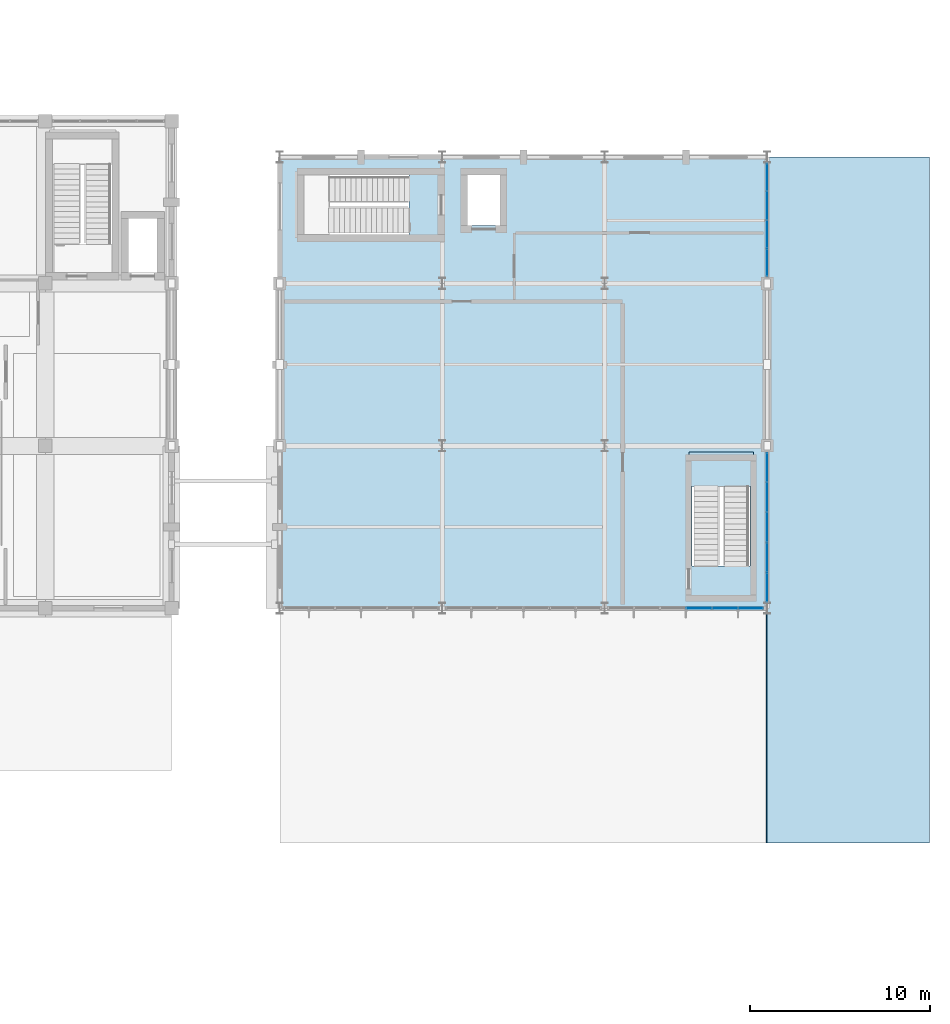
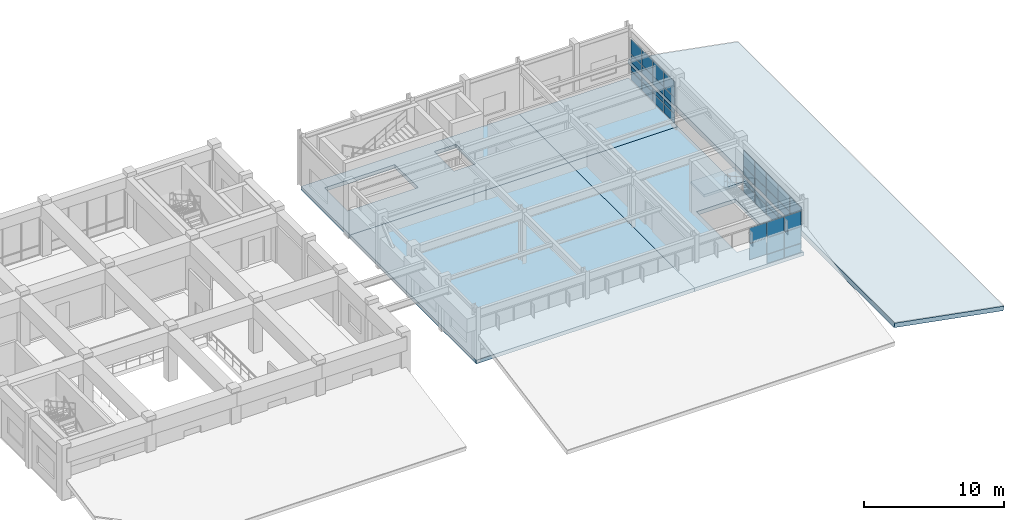
# One storey, part 78 of 104: 35 plates, 6 slabs, 4 elements without a shape of their own.
"""IFC4 building model written with IfcOpenShell, lengths in metres."""

import ifcopenshell
import ifcopenshell.guid

model = None  # the IFC model being written
_history = None  # IfcOwnerHistory: only IFC2X3 demands one
_inside = {}  # id of a spatial element -> (the spatial element, [elements in it])
_under = {}  # id of a project, library or spatial element -> (it, [spatial elements below it])
_declared = {}  # id of a project -> (the project, [libraries it declares])
_typed = {}  # id of a type object -> (the type object, [elements of that type])
_made_of = {}  # id of a material, layer set ... -> (it, [elements and type objects made of it])


def new_model(schema):
    """Start an empty IFC model of exactly this schema.

    Asked for "IFC4X3", IfcOpenShell would pick the latest addendum, in which some entities
    have other attributes; the version numbers below select the first issue.
    IFC2X3 requires an IfcOwnerHistory on every rooted entity: one is made here for all.
    """
    global model, _history
    if schema == "IFC4X3":
        model = ifcopenshell.file(schema_version=(4, 3, 0, 0))
    else:
        model = ifcopenshell.file(schema=schema)
    _inside.clear()
    _under.clear()
    _declared.clear()
    _typed.clear()
    _made_of.clear()
    _history = None
    if model.schema == "IFC2X3":
        org = make("IfcOrganization", Name="unknown")
        user = make(
            "IfcPersonAndOrganization",
            ThePerson=make("IfcPerson", FamilyName="unknown"),
            TheOrganization=org,
        )
        app = make(
            "IfcApplication",
            ApplicationDeveloper=org,
            Version="unknown",
            ApplicationFullName="unknown",
            ApplicationIdentifier="unknown",
        )
        _history = make(
            "IfcOwnerHistory",
            OwningUser=user,
            OwningApplication=app,
            ChangeAction="ADDED",
            CreationDate=0,
        )
    return model


def make(cls, **values):
    """One entity of the class cls with the attributes given. An attribute that is None is left unset."""
    return model.create_entity(
        cls, **{name: value for name, value in values.items() if value is not None}
    )


def rooted(cls, **values):
    """An entity with a GlobalId (a new one), such as an element, a storey or a relation."""
    return make(cls, GlobalId=ifcopenshell.guid.new(), OwnerHistory=_history, **values)


def si_unit(unit_type, name, prefix=None):
    """IfcSIUnit, for example si_unit("LENGTHUNIT", "METRE", prefix="MILLI")."""
    return make("IfcSIUnit", UnitType=unit_type, Prefix=prefix, Name=name)


def assignment(units):
    """IfcUnitAssignment: the units of a project."""
    return None if units is None else make("IfcUnitAssignment", Units=units)


def point(xyz):
    """IfcCartesianPoint."""
    return None if xyz is None else make("IfcCartesianPoint", Coordinates=xyz)


def direction(xyz):
    """IfcDirection."""
    return None if xyz is None else make("IfcDirection", DirectionRatios=xyz)


def frame(location, z_axis=None, x_axis=None):
    """IfcAxis2Placement3D, a coordinate frame: its origin and axes. An axis left out is left unset."""
    return make(
        "IfcAxis2Placement3D",
        Location=point(location),
        Axis=direction(z_axis),
        RefDirection=direction(x_axis),
    )


def frame_2d(location, x_axis=None):
    """IfcAxis2Placement2D, a coordinate frame in the plane: its origin and x axis."""
    return make(
        "IfcAxis2Placement2D", Location=point(location), RefDirection=direction(x_axis)
    )


def origin():
    """The frame at (0, 0, 0) with its axes left unset."""
    return frame((0.0, 0.0, 0.0))


def origin_2d():
    """The frame at (0, 0) in the plane with its x axis left unset."""
    return frame_2d((0.0, 0.0))


def place(relative_to, where):
    """IfcLocalPlacement: puts the frame where relative to a parent placement (None: the world)."""
    return make(
        "IfcLocalPlacement", PlacementRelTo=relative_to, RelativePlacement=where
    )


def context(
    kind, dimensions, precision=None, world=None, true_north=None, identifier=None
):
    """IfcGeometricRepresentationContext, for example the 3D "Model" context."""
    return make(
        "IfcGeometricRepresentationContext",
        ContextIdentifier=identifier,
        ContextType=kind,
        CoordinateSpaceDimension=dimensions,
        Precision=precision,
        WorldCoordinateSystem=world,
        TrueNorth=true_north,
    )


def subcontext(parent, identifier, kind, view, scale=None):
    """IfcGeometricRepresentationSubContext, for example "Body" below "Model"."""
    return make(
        "IfcGeometricRepresentationSubContext",
        ContextIdentifier=identifier,
        ContextType=kind,
        ParentContext=parent,
        TargetScale=scale,
        TargetView=view,
    )


def project(units=None, contexts=None):
    """IfcProject with its units and contexts."""
    return rooted(
        "IfcProject",
        Name="project",
        RepresentationContexts=contexts,
        UnitsInContext=assignment(units),
    )


def spatial(cls, under=None, at=None, **own):
    """A site, building, storey or space (cls), placed at a placement, below another one or the project."""
    s = rooted(cls, ObjectPlacement=at, **own)
    if under is not None:
        _under.setdefault(under.id(), (under, []))[1].append(s)
    return s


def polyline(points):
    """IfcPolyline through the points."""
    return make("IfcPolyline", Points=[point(p) for p in points])


def profile(cls, at=None, kind="AREA", **sizes):
    """A parametric profile (cls). Its sizes go by their IFC names, for example OverallWidth=200.0."""
    return make(cls, ProfileType=kind, Position=at, **sizes)


def rectangle(**sizes):
    """IfcRectangleProfileDef."""
    return profile("IfcRectangleProfileDef", **sizes)


def outline(outer, holes=None, kind="AREA"):
    """IfcArbitraryClosedProfileDef: a profile drawn as a closed curve; with holes, ...WithVoids."""
    if holes is None:
        return make("IfcArbitraryClosedProfileDef", ProfileType=kind, OuterCurve=outer)
    return make(
        "IfcArbitraryProfileDefWithVoids",
        ProfileType=kind,
        OuterCurve=outer,
        InnerCurves=holes,
    )


def extrude(swept, where, along, depth):
    """IfcExtrudedAreaSolid: the profile swept, set in the frame where, extruded along a direction by depth."""
    return make(
        "IfcExtrudedAreaSolid",
        SweptArea=swept,
        Position=where,
        ExtrudedDirection=direction(along),
        Depth=depth,
    )


def shape(context_of_items, identifier, shape_type, items):
    """IfcShapeRepresentation: the items that make up one representation, for example the "Body"."""
    return make(
        "IfcShapeRepresentation",
        ContextOfItems=context_of_items,
        RepresentationIdentifier=identifier,
        RepresentationType=shape_type,
        Items=items,
    )


def material(Name=None, Category=None):
    """IfcMaterial."""
    return make("IfcMaterial", Name=Name, Category=Category)


def layer(
    of_material, thickness, ventilated=None, Name=None, Category=None, Priority=None
):
    """IfcMaterialLayer: one layer of a wall or slab, of a material (None: an air gap)."""
    return make(
        "IfcMaterialLayer",
        Material=of_material,
        LayerThickness=thickness,
        IsVentilated=ventilated,
        Name=Name,
        Category=Category,
        Priority=Priority,
    )


def layer_set(layers, Name=None):
    """IfcMaterialLayerSet."""
    return make("IfcMaterialLayerSet", MaterialLayers=layers, LayerSetName=Name)


def made_of(thing, what):
    """Note that an element or type object is made of a material, layer set ...; save() writes the relation."""
    if what is not None:
        _made_of.setdefault(what.id(), (what, []))[1].append(thing)
    return thing


def type_object(cls, material=None, **own):
    """A type object (cls), such as IfcWallType, which elements share."""
    return made_of(rooted(cls, **own), material)


def element(
    cls,
    number,
    at=None,
    inside=None,
    cuts=None,
    type_object=None,
    material=None,
    context=None,
    identifier="Body",
    shape_type=None,
    held_by="IfcProductDefinitionShape",
    body=None,
    shapes=None,
    **own,
):
    """One element of the class cls, such as IfcWall. Its Tag is "e" and its number.

    at: its placement. inside: the storey or other place that contains it. cuts: it is an
    opening in that element (IfcRelVoidsElement). A single representation is given by context,
    identifier, shape_type and body (its items); several are given by shapes. held_by: the class
    of the entity that holds the representations. save() writes the other relations.
    """
    e = rooted(cls, Tag="e%d" % number, ObjectPlacement=at, **own)
    if body is not None:
        shapes = [shape(context, identifier, shape_type, body)]
    if shapes is not None:
        e.Representation = make(held_by, Representations=shapes)
    if inside is not None:
        _inside.setdefault(inside.id(), (inside, []))[1].append(e)
    if cuts is not None:
        rooted(
            "IfcRelVoidsElement", RelatingBuildingElement=cuts, RelatedOpeningElement=e
        )
    if type_object is not None:
        _typed.setdefault(type_object.id(), (type_object, []))[1].append(e)
    return made_of(e, material)


def aggregate(whole, parts):
    """IfcRelAggregates: a whole, such as a stair, and the parts it consists of."""
    return rooted("IfcRelAggregates", RelatingObject=whole, RelatedObjects=parts)


def save(model, path):
    """Write the relations noted so far, then the file.

    IfcRelAggregates (storeys below a building ...), IfcRelContainedInSpatialStructure (elements
    in a storey), IfcRelDefinesByType, IfcRelAssociatesMaterial and IfcRelDeclares: one each for
    every whole, place, type object, material and project.
    """
    for whole, parts in _under.values():
        aggregate(whole, parts)
    for where, things in _inside.values():
        rooted(
            "IfcRelContainedInSpatialStructure",
            RelatedElements=things,
            RelatingStructure=where,
        )
    for kind, things in _typed.values():
        rooted("IfcRelDefinesByType", RelatedObjects=things, RelatingType=kind)
    for what, things in _made_of.values():
        rooted("IfcRelAssociatesMaterial", RelatedObjects=things, RelatingMaterial=what)
    for by, libraries in _declared.values():
        rooted("IfcRelDeclares", RelatingContext=by, RelatedDefinitions=libraries)
    model.write(path)


model = new_model("IFC4")

# Units and contexts
model_context = context("Model", 3, precision=1e-05, world=origin(), true_north=direction((0.0, 1.0)))
body_context = subcontext(model_context, "Body", "Model", "MODEL_VIEW")
ifc_project = project(units=[si_unit("LENGTHUNIT", "METRE"), si_unit("AREAUNIT", "SQUARE_METRE"), si_unit("VOLUMEUNIT", "CUBIC_METRE"), si_unit("PLANEANGLEUNIT", "RADIAN"), si_unit("MASSUNIT", "GRAM", prefix="KILO")], contexts=[model_context])

# Site, building, storey
site_placement = place(None, origin())
site = spatial("IfcSite", under=ifc_project, at=site_placement, CompositionType="ELEMENT")
building_placement = place(site_placement, origin())
building = spatial("IfcBuilding", under=site, at=building_placement, Name="Ventoquebrada Cableway Terminal", CompositionType="ELEMENT")
storey_placement = place(building_placement, frame((0.0, 0.0, 4.800048828125)))
storey = spatial("IfcBuildingStorey", under=building, at=storey_placement, Name="L01", CompositionType="ELEMENT", Elevation=4.800048828125)

# Curtain wall, plates
ifc_material_1 = material(Name="Anodized thermally-broken aluminium", Category="aluminium")
ifc_layer_1 = layer(ifc_material_1, 0.159912109375)
ifc_layer_set_1 = layer_set([ifc_layer_1], Name="Anodized thermally-broken aluminium")
curtain_wall_type_1 = type_object("IfcCurtainWallType", Name="CW-T30", PredefinedType="USERDEFINED", material=ifc_layer_set_1)
curtain_wall_1_placement = place(storey_placement, origin())
curtain_wall_1 = element("IfcCurtainWall", 1, at=curtain_wall_1_placement, inside=storey, type_object=curtain_wall_type_1, Name="Unitised glazed curtain wall CW-075", ObjectType="UNITISED CURTAIN WALL", PredefinedType="USERDEFINED")
ifc_material_2 = material(Name="Double low-e laminated safety glazing", Category="glass")
ifc_layer_2 = layer(ifc_material_2, 0.031982421875)
ifc_layer_set_2 = layer_set([ifc_layer_2], Name="Double low-e laminated safety glazing")
plate_type_1 = type_object("IfcPlateType", Name="CWP-GL1", PredefinedType="CURTAIN_PANEL", material=ifc_layer_set_2)
plate_1_placement = place(storey_placement, frame((152.221923828125, 77.0, 0.875), z_axis=(0.0, 0.0, 1.0), x_axis=(1.0, 0.0, 0.0)))
plate_1 = element("IfcPlate", 2, at=plate_1_placement, type_object=plate_type_1, Name="Vision glazing panel PN-0755", PredefinedType="CURTAIN_PANEL", context=body_context, shape_type="SweptSolid", body=[
    extrude(rectangle(XDim=1.39501953125, YDim=0.031982421875, at=origin_2d()), origin(), (0.0, 0.0, 1.0), 1.39990234375),
])
plate_2_placement = place(storey_placement, frame((153.666015625, 77.0, 2.3232421875), z_axis=(0.0, 0.0, 1.0), x_axis=(1.0, 0.0, 0.0)))
plate_2 = element("IfcPlate", 3, at=plate_2_placement, type_object=plate_type_1, Name="Vision glazing panel PN-0759", PredefinedType="CURTAIN_PANEL", context=body_context, shape_type="SweptSolid", body=[
    extrude(rectangle(XDim=1.39501953125, YDim=0.031982421875, at=origin_2d()), origin(), (0.0, 0.0, 1.0), 1.324951171875),
])
plate_3_placement = place(storey_placement, frame((155.091064453125, 77.0, 0.875), z_axis=(0.0, 0.0, 1.0), x_axis=(1.0, 0.0, 0.0)))
plate_3 = element("IfcPlate", 4, at=plate_3_placement, type_object=plate_type_1, Name="Vision glazing panel PN-0761", PredefinedType="CURTAIN_PANEL", context=body_context, shape_type="SweptSolid", body=[
    extrude(rectangle(XDim=1.360107421875, YDim=0.031982421875, at=origin_2d()), origin(), (0.0, 0.0, 1.0), 1.39990234375),
])

ifc_layer_3 = layer(ifc_material_1, 0.159912109375)
ifc_layer_set_3 = layer_set([ifc_layer_3], Name="Anodized thermally-broken aluminium")
curtain_wall_type_2 = type_object("IfcCurtainWallType", Name="CW-T31", PredefinedType="USERDEFINED", material=ifc_layer_set_3)
curtain_wall_2_placement = place(storey_placement, origin())
curtain_wall_2 = element("IfcCurtainWall", 5, at=curtain_wall_2_placement, inside=storey, type_object=curtain_wall_type_2, Name="Unitised glazed curtain wall CW-076", ObjectType="UNITISED CURTAIN WALL", PredefinedType="USERDEFINED")
plate_4_placement = place(storey_placement, frame((156.0, 78.166015625, 2.3232421875), z_axis=(0.0, 0.0, 1.0), x_axis=(0.0, 1.0, 0.0)))
plate_4 = element("IfcPlate", 6, at=plate_4_placement, type_object=plate_type_1, Name="Vision glazing panel PN-0765", PredefinedType="CURTAIN_PANEL", context=body_context, shape_type="SweptSolid", body=[
    extrude(rectangle(XDim=1.58203125, YDim=0.031982421875, at=origin_2d()), origin(), (0.0, 0.0, 1.0), 1.324951171875),
])
plate_5_placement = place(storey_placement, frame((156.0, 79.81494140625, 0.875), z_axis=(0.0, 0.0, 1.0), x_axis=(0.0, 1.0, 0.0)))
plate_5 = element("IfcPlate", 7, at=plate_5_placement, type_object=plate_type_1, Name="Vision glazing panel PN-0767", PredefinedType="CURTAIN_PANEL", context=body_context, shape_type="SweptSolid", body=[
    extrude(rectangle(XDim=1.616943359375, YDim=0.031982421875, at=origin_2d()), origin(), (0.0, 0.0, 1.0), 1.39990234375),
])
plate_6_placement = place(storey_placement, frame((156.0, 81.48095703125, 2.3232421875), z_axis=(0.0, 0.0, 1.0), x_axis=(0.0, 1.0, 0.0)))
plate_6 = element("IfcPlate", 8, at=plate_6_placement, type_object=plate_type_1, Name="Vision glazing panel PN-0771", PredefinedType="CURTAIN_PANEL", context=body_context, shape_type="SweptSolid", body=[
    extrude(rectangle(XDim=1.616943359375, YDim=0.031982421875, at=origin_2d()), origin(), (0.0, 0.0, 1.0), 1.324951171875),
])
plate_7_placement = place(storey_placement, frame((156.0, 83.14697265625, 0.875), z_axis=(0.0, 0.0, 1.0), x_axis=(0.0, 1.0, 0.0)))
plate_7 = element("IfcPlate", 9, at=plate_7_placement, type_object=plate_type_1, Name="Vision glazing panel PN-0773", PredefinedType="CURTAIN_PANEL", context=body_context, shape_type="SweptSolid", body=[
    extrude(rectangle(XDim=1.616943359375, YDim=0.031982421875, at=origin_2d()), origin(), (0.0, 0.0, 1.0), 1.39990234375),
])
plate_8_placement = place(storey_placement, frame((156.0, 84.7939453125, 2.3232421875), z_axis=(0.0, 0.0, 1.0), x_axis=(0.0, 1.0, 0.0)))
plate_8 = element("IfcPlate", 10, at=plate_8_placement, type_object=plate_type_1, Name="Vision glazing panel PN-0777", PredefinedType="CURTAIN_PANEL", context=body_context, shape_type="SweptSolid", body=[
    extrude(rectangle(XDim=1.58203125, YDim=0.031982421875, at=origin_2d()), origin(), (0.0, 0.0, 1.0), 1.324951171875),
])

ifc_layer_4 = layer(ifc_material_1, 0.159912109375)
ifc_layer_set_4 = layer_set([ifc_layer_4], Name="Anodized thermally-broken aluminium")
curtain_wall_type_3 = type_object("IfcCurtainWallType", Name="CW-T32", PredefinedType="USERDEFINED", material=ifc_layer_set_4)
curtain_wall_3_placement = place(storey_placement, origin())
curtain_wall_3 = element("IfcCurtainWall", 11, at=curtain_wall_3_placement, inside=storey, type_object=curtain_wall_type_3, Name="Unitised glazed curtain wall CW-077", ObjectType="UNITISED CURTAIN WALL", PredefinedType="USERDEFINED")
plate_9_placement = place(storey_placement, frame((156.0, 96.1640625, 2.3232421875), z_axis=(0.0, 0.0, 1.0), x_axis=(0.0, 1.0, 0.0)))
plate_9 = element("IfcPlate", 12, at=plate_9_placement, type_object=plate_type_1, Name="Vision glazing panel PN-0780", PredefinedType="CURTAIN_PANEL", context=body_context, shape_type="SweptSolid", body=[
    extrude(rectangle(XDim=1.498046875, YDim=0.031982421875, at=origin_2d()), origin(), (0.0, 0.0, 1.0), 1.324951171875),
])
plate_10_placement = place(storey_placement, frame((156.0, 97.72802734375, 0.875), z_axis=(0.0, 0.0, 1.0), x_axis=(0.0, 1.0, 0.0)))
plate_10 = element("IfcPlate", 13, at=plate_10_placement, type_object=plate_type_1, Name="Vision glazing panel PN-0782", PredefinedType="CURTAIN_PANEL", context=body_context, shape_type="SweptSolid", body=[
    extrude(rectangle(XDim=1.532958984375, YDim=0.031982421875, at=origin_2d()), origin(), (0.0, 0.0, 1.0), 1.39990234375),
])
plate_11_placement = place(storey_placement, frame((156.0, 99.31005859375, 2.3232421875), z_axis=(0.0, 0.0, 1.0), x_axis=(0.0, 1.0, 0.0)))
plate_11 = element("IfcPlate", 14, at=plate_11_placement, type_object=plate_type_1, Name="Vision glazing panel PN-0786", PredefinedType="CURTAIN_PANEL", context=body_context, shape_type="SweptSolid", body=[
    extrude(rectangle(XDim=1.532958984375, YDim=0.031982421875, at=origin_2d()), origin(), (0.0, 0.0, 1.0), 1.324951171875),
])
plate_12_placement = place(storey_placement, frame((156.0, 100.875, 0.875), z_axis=(0.0, 0.0, 1.0), x_axis=(0.0, 1.0, 0.0)))
plate_12 = element("IfcPlate", 15, at=plate_12_placement, type_object=plate_type_1, Name="Vision glazing panel PN-0788", PredefinedType="CURTAIN_PANEL", context=body_context, shape_type="SweptSolid", body=[
    extrude(rectangle(XDim=1.498046875, YDim=0.031982421875, at=origin_2d()), origin(), (0.0, 0.0, 1.0), 1.39990234375),
])

# Plate
ifc_layer_5 = layer(ifc_material_2, 0.0380859375)
ifc_layer_set_5 = layer_set([ifc_layer_5], Name="Double low-e laminated safety glazing")
plate_type_2 = type_object("IfcPlateType", Name="CWP-GL2", PredefinedType="CURTAIN_PANEL", material=ifc_layer_set_5)
plate_13_placement = place(storey_placement, frame((152.221923828125, 77.0, 2.3232421875), z_axis=(0.0, 0.0, 1.0), x_axis=(1.0, 0.0, 0.0)))
plate_13 = element("IfcPlate", 16, at=plate_13_placement, type_object=plate_type_2, Name="Vision glazing panel PN-0756", PredefinedType="CURTAIN_PANEL", context=body_context, shape_type="SweptSolid", body=[
    extrude(rectangle(XDim=1.39501953125, YDim=0.0380859375, at=origin_2d()), origin(), (0.0, 0.0, 1.0), 1.324951171875),
])

plate_14_placement = place(storey_placement, frame((153.666015625, 77.0, 0.875), z_axis=(0.0, 0.0, 1.0), x_axis=(1.0, 0.0, 0.0)))
plate_14 = element("IfcPlate", 17, at=plate_14_placement, type_object=plate_type_2, Name="Vision glazing panel PN-0758", PredefinedType="CURTAIN_PANEL", context=body_context, shape_type="SweptSolid", body=[
    extrude(rectangle(XDim=1.39501953125, YDim=0.0380859375, at=origin_2d()), origin(), (0.0, 0.0, 1.0), 1.39990234375),
])

plate_15_placement = place(storey_placement, frame((155.091064453125, 77.0, 2.3232421875), z_axis=(0.0, 0.0, 1.0), x_axis=(1.0, 0.0, 0.0)))
plate_15 = element("IfcPlate", 18, at=plate_15_placement, type_object=plate_type_2, Name="Vision glazing panel PN-0762", PredefinedType="CURTAIN_PANEL", context=body_context, shape_type="SweptSolid", body=[
    extrude(rectangle(XDim=1.360107421875, YDim=0.0380859375, at=origin_2d()), origin(), (0.0, 0.0, 1.0), 1.324951171875),
])

plate_16_placement = place(storey_placement, frame((156.0, 78.166015625, 0.875), z_axis=(0.0, 0.0, 1.0), x_axis=(0.0, 1.0, 0.0)))
plate_16 = element("IfcPlate", 19, at=plate_16_placement, type_object=plate_type_2, Name="Vision glazing panel PN-0764", PredefinedType="CURTAIN_PANEL", context=body_context, shape_type="SweptSolid", body=[
    extrude(rectangle(XDim=1.58203125, YDim=0.0380859375, at=origin_2d()), origin(), (0.0, 0.0, 1.0), 1.39990234375),
])

plate_17_placement = place(storey_placement, frame((156.0, 79.81494140625, 2.3232421875), z_axis=(0.0, 0.0, 1.0), x_axis=(0.0, 1.0, 0.0)))
plate_17 = element("IfcPlate", 20, at=plate_17_placement, type_object=plate_type_2, Name="Vision glazing panel PN-0768", PredefinedType="CURTAIN_PANEL", context=body_context, shape_type="SweptSolid", body=[
    extrude(rectangle(XDim=1.616943359375, YDim=0.0380859375, at=origin_2d()), origin(), (0.0, 0.0, 1.0), 1.324951171875),
])

plate_18_placement = place(storey_placement, frame((156.0, 81.48095703125, 0.875), z_axis=(0.0, 0.0, 1.0), x_axis=(0.0, 1.0, 0.0)))
plate_18 = element("IfcPlate", 21, at=plate_18_placement, type_object=plate_type_2, Name="Vision glazing panel PN-0770", PredefinedType="CURTAIN_PANEL", context=body_context, shape_type="SweptSolid", body=[
    extrude(rectangle(XDim=1.616943359375, YDim=0.0380859375, at=origin_2d()), origin(), (0.0, 0.0, 1.0), 1.39990234375),
])

plate_19_placement = place(storey_placement, frame((156.0, 83.14697265625, 2.3232421875), z_axis=(0.0, 0.0, 1.0), x_axis=(0.0, 1.0, 0.0)))
plate_19 = element("IfcPlate", 22, at=plate_19_placement, type_object=plate_type_2, Name="Vision glazing panel PN-0774", PredefinedType="CURTAIN_PANEL", context=body_context, shape_type="SweptSolid", body=[
    extrude(rectangle(XDim=1.616943359375, YDim=0.0380859375, at=origin_2d()), origin(), (0.0, 0.0, 1.0), 1.324951171875),
])

plate_20_placement = place(storey_placement, frame((156.0, 84.7939453125, 0.875), z_axis=(0.0, 0.0, 1.0), x_axis=(0.0, 1.0, 0.0)))
plate_20 = element("IfcPlate", 23, at=plate_20_placement, type_object=plate_type_2, Name="Vision glazing panel PN-0776", PredefinedType="CURTAIN_PANEL", context=body_context, shape_type="SweptSolid", body=[
    extrude(rectangle(XDim=1.58203125, YDim=0.0380859375, at=origin_2d()), origin(), (0.0, 0.0, 1.0), 1.39990234375),
])

plate_21_placement = place(storey_placement, frame((156.0, 96.1640625, 0.875), z_axis=(0.0, 0.0, 1.0), x_axis=(0.0, 1.0, 0.0)))
plate_21 = element("IfcPlate", 24, at=plate_21_placement, type_object=plate_type_2, Name="Vision glazing panel PN-0779", PredefinedType="CURTAIN_PANEL", context=body_context, shape_type="SweptSolid", body=[
    extrude(rectangle(XDim=1.498046875, YDim=0.0380859375, at=origin_2d()), origin(), (0.0, 0.0, 1.0), 1.39990234375),
])

plate_22_placement = place(storey_placement, frame((156.0, 97.72802734375, 2.3232421875), z_axis=(0.0, 0.0, 1.0), x_axis=(0.0, 1.0, 0.0)))
plate_22 = element("IfcPlate", 25, at=plate_22_placement, type_object=plate_type_2, Name="Vision glazing panel PN-0783", PredefinedType="CURTAIN_PANEL", context=body_context, shape_type="SweptSolid", body=[
    extrude(rectangle(XDim=1.532958984375, YDim=0.0380859375, at=origin_2d()), origin(), (0.0, 0.0, 1.0), 1.324951171875),
])

plate_23_placement = place(storey_placement, frame((156.0, 99.31005859375, 0.875), z_axis=(0.0, 0.0, 1.0), x_axis=(0.0, 1.0, 0.0)))
plate_23 = element("IfcPlate", 26, at=plate_23_placement, type_object=plate_type_2, Name="Vision glazing panel PN-0785", PredefinedType="CURTAIN_PANEL", context=body_context, shape_type="SweptSolid", body=[
    extrude(rectangle(XDim=1.532958984375, YDim=0.0380859375, at=origin_2d()), origin(), (0.0, 0.0, 1.0), 1.39990234375),
])

plate_24_placement = place(storey_placement, frame((156.0, 100.875, 2.3232421875), z_axis=(0.0, 0.0, 1.0), x_axis=(0.0, 1.0, 0.0)))
plate_24 = element("IfcPlate", 27, at=plate_24_placement, type_object=plate_type_2, Name="Vision glazing panel PN-0789", PredefinedType="CURTAIN_PANEL", context=body_context, shape_type="SweptSolid", body=[
    extrude(rectangle(XDim=1.498046875, YDim=0.0380859375, at=origin_2d()), origin(), (0.0, 0.0, 1.0), 1.324951171875),
])

ifc_material_3 = material(Name="Insulated aluminium spandrel cassette", Category="aluminium")
ifc_layer_6 = layer(ifc_material_3, 0.044921875)
ifc_layer_set_6 = layer_set([ifc_layer_6], Name="Insulated aluminium spandrel cassette")
plate_type_3 = type_object("IfcPlateType", Name="CWP-SP1", PredefinedType="CURTAIN_PANEL", material=ifc_layer_set_6)
plate_25_placement = place(storey_placement, frame((153.666015625, 77.0, 0.058837890625), z_axis=(0.0, 0.0, 1.0), x_axis=(1.0, 0.0, 0.0)))
plate_25 = element("IfcPlate", 28, at=plate_25_placement, type_object=plate_type_3, Name="Insulated spandrel panel PN-0757", PredefinedType="CURTAIN_PANEL", context=body_context, shape_type="SweptSolid", body=[
    extrude(rectangle(XDim=1.39501953125, YDim=0.044921875, at=origin_2d()), origin(), (0.0, 0.0, 1.0), 0.76611328125),
])

plate_26_placement = place(storey_placement, frame((155.091064453125, 77.0, 0.058837890625), z_axis=(0.0, 0.0, 1.0), x_axis=(1.0, 0.0, 0.0)))
plate_26 = element("IfcPlate", 29, at=plate_26_placement, type_object=plate_type_3, Name="Insulated spandrel panel PN-0760", PredefinedType="CURTAIN_PANEL", context=body_context, shape_type="SweptSolid", body=[
    extrude(rectangle(XDim=1.360107421875, YDim=0.044921875, at=origin_2d()), origin(), (0.0, 0.0, 1.0), 0.76611328125),
])

aggregate(curtain_wall_1, [plate_1, plate_13, plate_25, plate_14, plate_2, plate_26, plate_3, plate_15])

plate_27_placement = place(storey_placement, frame((156.0, 78.166015625, 0.058837890625), z_axis=(0.0, 0.0, 1.0), x_axis=(0.0, 1.0, 0.0)))
plate_27 = element("IfcPlate", 30, at=plate_27_placement, type_object=plate_type_3, Name="Insulated spandrel panel PN-0763", PredefinedType="CURTAIN_PANEL", context=body_context, shape_type="SweptSolid", body=[
    extrude(rectangle(XDim=1.58203125, YDim=0.044921875, at=origin_2d()), origin(), (0.0, 0.0, 1.0), 0.76611328125),
])

plate_28_placement = place(storey_placement, frame((156.0, 79.81494140625, 0.058837890625), z_axis=(0.0, 0.0, 1.0), x_axis=(0.0, 1.0, 0.0)))
plate_28 = element("IfcPlate", 31, at=plate_28_placement, type_object=plate_type_3, Name="Insulated spandrel panel PN-0766", PredefinedType="CURTAIN_PANEL", context=body_context, shape_type="SweptSolid", body=[
    extrude(rectangle(XDim=1.616943359375, YDim=0.044921875, at=origin_2d()), origin(), (0.0, 0.0, 1.0), 0.76611328125),
])

plate_29_placement = place(storey_placement, frame((156.0, 81.48095703125, 0.058837890625), z_axis=(0.0, 0.0, 1.0), x_axis=(0.0, 1.0, 0.0)))
plate_29 = element("IfcPlate", 32, at=plate_29_placement, type_object=plate_type_3, Name="Insulated spandrel panel PN-0769", PredefinedType="CURTAIN_PANEL", context=body_context, shape_type="SweptSolid", body=[
    extrude(rectangle(XDim=1.616943359375, YDim=0.044921875, at=origin_2d()), origin(), (0.0, 0.0, 1.0), 0.76611328125),
])

plate_30_placement = place(storey_placement, frame((156.0, 83.14697265625, 0.058837890625), z_axis=(0.0, 0.0, 1.0), x_axis=(0.0, 1.0, 0.0)))
plate_30 = element("IfcPlate", 33, at=plate_30_placement, type_object=plate_type_3, Name="Insulated spandrel panel PN-0772", PredefinedType="CURTAIN_PANEL", context=body_context, shape_type="SweptSolid", body=[
    extrude(rectangle(XDim=1.616943359375, YDim=0.044921875, at=origin_2d()), origin(), (0.0, 0.0, 1.0), 0.76611328125),
])

plate_31_placement = place(storey_placement, frame((156.0, 84.7939453125, 0.058837890625), z_axis=(0.0, 0.0, 1.0), x_axis=(0.0, 1.0, 0.0)))
plate_31 = element("IfcPlate", 34, at=plate_31_placement, type_object=plate_type_3, Name="Insulated spandrel panel PN-0775", PredefinedType="CURTAIN_PANEL", context=body_context, shape_type="SweptSolid", body=[
    extrude(rectangle(XDim=1.58203125, YDim=0.044921875, at=origin_2d()), origin(), (0.0, 0.0, 1.0), 0.76611328125),
])

aggregate(curtain_wall_2, [plate_27, plate_16, plate_4, plate_28, plate_5, plate_17, plate_29, plate_18, plate_6, plate_30, plate_7, plate_19, plate_31, plate_20, plate_8])

plate_32_placement = place(storey_placement, frame((156.0, 96.1640625, 0.058837890625), z_axis=(0.0, 0.0, 1.0), x_axis=(0.0, 1.0, 0.0)))
plate_32 = element("IfcPlate", 35, at=plate_32_placement, type_object=plate_type_3, Name="Insulated spandrel panel PN-0778", PredefinedType="CURTAIN_PANEL", context=body_context, shape_type="SweptSolid", body=[
    extrude(rectangle(XDim=1.498046875, YDim=0.044921875, at=origin_2d()), origin(), (0.0, 0.0, 1.0), 0.76611328125),
])

plate_33_placement = place(storey_placement, frame((156.0, 97.72802734375, 0.058837890625), z_axis=(0.0, 0.0, 1.0), x_axis=(0.0, 1.0, 0.0)))
plate_33 = element("IfcPlate", 36, at=plate_33_placement, type_object=plate_type_3, Name="Insulated spandrel panel PN-0781", PredefinedType="CURTAIN_PANEL", context=body_context, shape_type="SweptSolid", body=[
    extrude(rectangle(XDim=1.532958984375, YDim=0.044921875, at=origin_2d()), origin(), (0.0, 0.0, 1.0), 0.76611328125),
])

plate_34_placement = place(storey_placement, frame((156.0, 99.31005859375, 0.058837890625), z_axis=(0.0, 0.0, 1.0), x_axis=(0.0, 1.0, 0.0)))
plate_34 = element("IfcPlate", 37, at=plate_34_placement, type_object=plate_type_3, Name="Insulated spandrel panel PN-0784", PredefinedType="CURTAIN_PANEL", context=body_context, shape_type="SweptSolid", body=[
    extrude(rectangle(XDim=1.532958984375, YDim=0.044921875, at=origin_2d()), origin(), (0.0, 0.0, 1.0), 0.76611328125),
])

plate_35_placement = place(storey_placement, frame((156.0, 100.875, 0.058837890625), z_axis=(0.0, 0.0, 1.0), x_axis=(0.0, 1.0, 0.0)))
plate_35 = element("IfcPlate", 38, at=plate_35_placement, type_object=plate_type_3, Name="Insulated spandrel panel PN-0787", PredefinedType="CURTAIN_PANEL", context=body_context, shape_type="SweptSolid", body=[
    extrude(rectangle(XDim=1.498046875, YDim=0.044921875, at=origin_2d()), origin(), (0.0, 0.0, 1.0), 0.76611328125),
])

aggregate(curtain_wall_3, [plate_32, plate_21, plate_9, plate_33, plate_10, plate_22, plate_34, plate_23, plate_11, plate_35, plate_12, plate_24])

# Slabs
ifc_material_4 = material(Name="Concrete C40/50", Category="concrete")
ifc_layer_7 = layer(ifc_material_4, 0.324951171875)
ifc_layer_set_7 = layer_set([ifc_layer_7], Name="Concrete C40/50")
slab_type_1 = type_object("IfcSlabType", Name="SL-DK1", PredefinedType="FLOOR", material=ifc_layer_set_7)
slab_1_placement = place(storey_placement, frame((0.0, 0.0, -0.324951171875)))
element("IfcSlab", 39, at=slab_1_placement, inside=storey, type_object=slab_type_1, Name="Reinforced concrete floor slab SL-055", PredefinedType="FLOOR", context=body_context, shape_type="SweptSolid", body=[
    extrude(outline(polyline([(147.0, 77.0), (147.0, 95.0), (129.0, 95.0), (129.0, 77.0), (147.0, 77.0)])), origin(), (0.0, 0.0, 1.0), 0.324951171875),
])
slab_2_placement = place(storey_placement, frame((0.0, 0.0, -0.324951171875)))
element("IfcSlab", 40, at=slab_2_placement, inside=storey, type_object=slab_type_1, Name="Reinforced concrete floor slab SL-056", PredefinedType="FLOOR", context=body_context, shape_type="SweptSolid", body=[
    extrude(outline(polyline([(129.0, 95.0), (147.0, 95.0), (147.0, 102.0), (129.0, 102.0), (129.0, 95.0)]), holes=[polyline([(136.159912109375, 101.0), (136.159912109375, 97.699951171875), (130.35009765625, 97.699951171875), (130.35009765625, 101.0), (136.159912109375, 101.0)]), polyline([(141.199951171875, 98.199951171875), (139.39990234375, 98.199951171875), (139.39990234375, 101.0), (141.199951171875, 101.0), (141.199951171875, 98.199951171875)])]), origin(), (0.0, 0.0, 1.0), 0.324951171875),
])
slab_3_placement = place(storey_placement, frame((0.0, 0.0, -0.324951171875)))
element("IfcSlab", 41, at=slab_3_placement, inside=storey, type_object=slab_type_1, Name="Reinforced concrete floor slab SL-057", PredefinedType="FLOOR", context=body_context, shape_type="SweptSolid", body=[
    extrude(outline(polyline([(156.0, 77.0), (156.0, 95.0), (147.0, 95.0), (147.0, 77.0), (156.0, 77.0)]), holes=[polyline([(155.050048828125, 79.340087890625), (151.85009765625, 79.340087890625), (151.85009765625, 85.14990234375), (155.050048828125, 85.14990234375), (155.050048828125, 79.340087890625)])]), origin(), (0.0, 0.0, 1.0), 0.324951171875),
])
slab_4_placement = place(storey_placement, frame((0.0, 0.0, -0.324951171875)))
element("IfcSlab", 42, at=slab_4_placement, inside=storey, type_object=slab_type_1, Name="Reinforced concrete floor slab SL-058", PredefinedType="FLOOR", context=body_context, shape_type="SweptSolid", body=[
    extrude(outline(polyline([(156.0, 95.0), (156.0, 102.0), (147.0, 102.0), (147.0, 95.0), (156.0, 95.0)])), origin(), (0.0, 0.0, 1.0), 0.324951171875),
])

# Stair, slab
stair_type = type_object("IfcStairType", Name="ST-T10", PredefinedType="HALF_TURN_STAIR", material=ifc_material_4)
stair_placement = place(storey_placement, origin())
stair = element("IfcStair", 43, at=stair_placement, inside=storey, type_object=stair_type, Name="Protected half-turn stair ST-31", PredefinedType="HALF_TURN_STAIR")
ifc_layer_8 = layer(ifc_material_4, 0.219970703125)
ifc_layer_set_8 = layer_set([ifc_layer_8], Name="Concrete C40/50")
slab_type_2 = type_object("IfcSlabType", Name="SL-LD1", PredefinedType="LANDING", material=ifc_layer_set_8)
slab_5_placement = place(storey_placement, frame((0.0, 0.0, 2.179931640625)))
slab_5 = element("IfcSlab", 44, at=slab_5_placement, type_object=slab_type_2, Name="Intermediate stair landing LDG-031", PredefinedType="LANDING", context=body_context, shape_type="SweptSolid", body=[
    extrude(outline(polyline([(155.260009765625, 83.739990234375), (155.260009765625, 85.659912109375), (151.679931640625, 85.659912109375), (151.679931640625, 83.739990234375), (155.260009765625, 83.739990234375)])), origin(), (0.0, 0.0, 1.0), 0.219970703125),
])
aggregate(stair, [slab_5])

# Slab
ifc_material_5 = material(Name="Concrete C45/55", Category="concrete")
ifc_layer_9 = layer(ifc_material_5, 0.3798828125)
ifc_layer_set_9 = layer_set([ifc_layer_9], Name="Concrete C45/55")
slab_type_3 = type_object("IfcSlabType", Name="SL-RF1", PredefinedType="ROOF", material=ifc_layer_set_9)
slab_6_placement = place(storey_placement, frame((155.9306640625, 64.0, 1.29443359375), z_axis=(0.18222679532, 0.0, 0.983256525566), x_axis=(0.983256525566, 0.0, -0.18222679532)))
element("IfcSlab", 45, at=slab_6_placement, inside=storey, type_object=slab_type_3, Name="Folded roof slab SL-112", PredefinedType="ROOF", context=body_context, shape_type="SweptSolid", body=[
    extrude(outline(polyline([(0.0, 0.0), (9.153257330097114, 0.0), (9.153257330097114, 38.0), (0.0, 38.0), (0.0, 0.0)])), origin(), (0.0, 0.0, 1.0), 0.3798828125),
])

save(model, "model.ifc")
